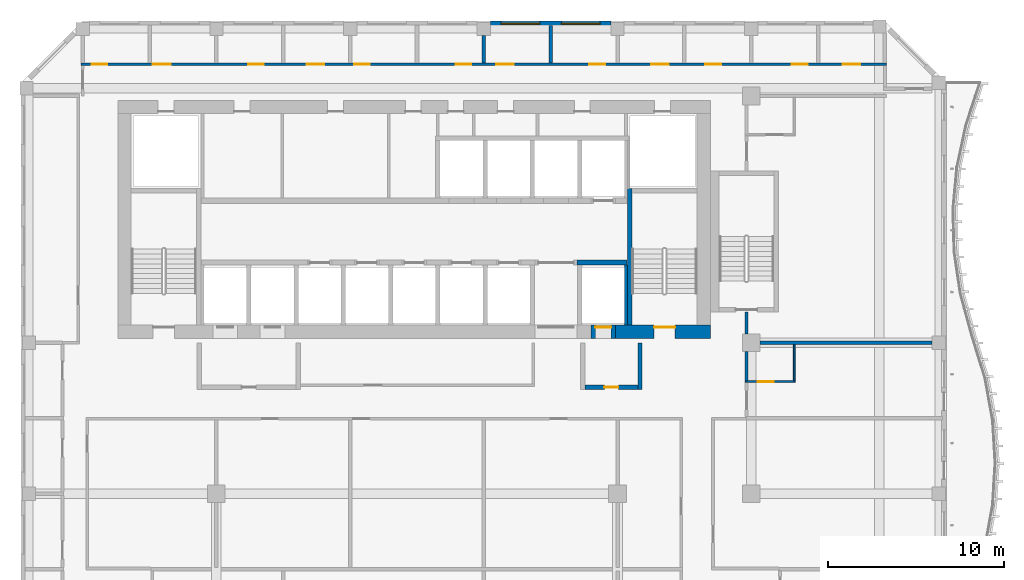
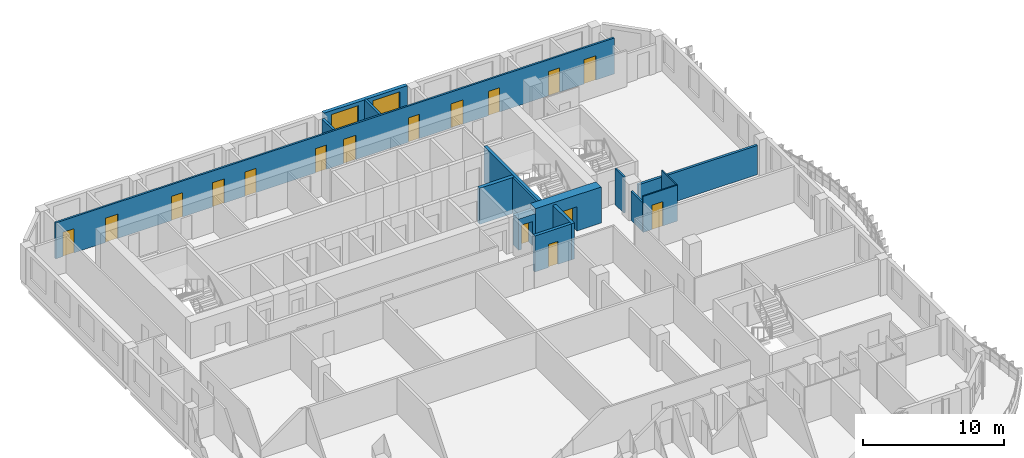
# One storey, part 9 of 23: 16 doors, 16 walls, 2 windows, 18 openings.
"""IFC4 building model written with IfcOpenShell, lengths in metres."""

from ifc_helpers import new_model, si_unit, direction, frame, frame_2d, origin, place, context, subcontext, project, spatial, rectangle, extrude, source, transform, mapped, material, layer, layer_set, type_object, element, fill, save


model = new_model("IFC4")

# Units and contexts
model_context = context("Model", 3, precision=1e-05, world=origin(), true_north=direction((0.0, 1.0)))
body_context = subcontext(model_context, "Body", "Model", "MODEL_VIEW")
ifc_project = project(units=[si_unit("LENGTHUNIT", "METRE"), si_unit("AREAUNIT", "SQUARE_METRE"), si_unit("VOLUMEUNIT", "CUBIC_METRE"), si_unit("PLANEANGLEUNIT", "RADIAN"), si_unit("MASSUNIT", "GRAM", prefix="KILO")], contexts=[model_context])

# Site, building, storey
site_placement = place(None, origin())
site = spatial("IfcSite", under=ifc_project, at=site_placement, CompositionType="ELEMENT")
building_placement = place(site_placement, origin())
building = spatial("IfcBuilding", under=site, at=building_placement, Name="Kilnfold Tower and Market Hall", CompositionType="ELEMENT")
storey_placement = place(building_placement, frame((0.0, 0.0, 203.300048828125)))
storey = spatial("IfcBuildingStorey", under=building, at=storey_placement, Name="L49", CompositionType="ELEMENT", Elevation=203.300048828125)

# Walls
ifc_material_1 = material(Name="Gypsum board on steel studs", Category="steel")
ifc_layer_1 = layer(ifc_material_1, 0.14990234375)
ifc_layer_set_1 = layer_set([ifc_layer_1], Name="Gypsum board on steel studs")
wall_type_1 = type_object("IfcWallType", Name="WALL CORRIDOR 150", PredefinedType="PARTITIONING", material=ifc_layer_set_1)
wall_1_placement = place(storey_placement, frame((19.89990234375, 5.840087890625, 0.0), z_axis=(0.0, 0.0, 1.0), x_axis=(0.0, 1.0, 0.0)))
element("IfcWall", 1, at=wall_1_placement, inside=storey, type_object=wall_type_1, Name="Partition LY30.19", PredefinedType="PARTITIONING", context=body_context, shape_type="SweptSolid", body=[
    extrude(rectangle(XDim=1.659912109375, YDim=0.14990234375, at=frame_2d((0.830078125, 0.0))), origin(), (0.0, 0.0, 1.0), 2.52001953125),
])
wall_2_placement = place(storey_placement, frame((19.89990234375, 8.5, 0.0), z_axis=(0.0, 0.0, 1.0), x_axis=(0.0, 1.0, 0.0)))
element("IfcWall", 2, at=wall_2_placement, inside=storey, type_object=wall_type_1, Name="Partition LY30.21", PredefinedType="PARTITIONING", context=body_context, shape_type="SweptSolid", body=[
    extrude(rectangle(XDim=1.25, YDim=0.14990234375, at=frame_2d((0.625, 0.0))), origin(), (0.0, 0.0, 1.0), 3.119873046875),
])

# Wall, openings, doors
wall_3_placement = place(storey_placement, frame((-17.85009765625, 23.800048828125, 0.0), z_axis=(0.0, 0.0, 1.0), x_axis=(1.0, 0.0, 0.0)))
wall_3 = element("IfcWall", 3, at=wall_3_placement, inside=storey, type_object=wall_type_1, Name="Partition LY30.31", PredefinedType="PARTITIONING", context=body_context, shape_type="SweptSolid", body=[
    extrude(rectangle(XDim=45.7001953125, YDim=0.14990234375, at=frame_2d((22.85009765625, 0.0))), origin(), (0.0, 0.0, 1.0), 3.119873046875),
])
opening_1_placement = place(wall_3_placement, frame((0.60009765625, 0.0, 0.0)))
opening_1 = element("IfcOpeningElement", 4, at=opening_1_placement, cuts=wall_3, Name="Opening D2", PredefinedType="OPENING", context=body_context, shape_type="SweptSolid", body=[
    extrude(rectangle(XDim=0.89990234375, YDim=2.10009765625, at=frame_2d((0.449951171875, 1.050048828125))), frame((0.0, 0.0849609375, 0.0), z_axis=(0.0, -1.0, 0.0), x_axis=(1.0, 0.0, 0.0)), (0.0, 0.0, 1.0), 0.169921875),
])
opening_2_placement = place(wall_3_placement, frame((4.0810546875, 0.0, 0.0)))
opening_2 = element("IfcOpeningElement", 5, at=opening_2_placement, cuts=wall_3, Name="Opening D4", PredefinedType="OPENING", context=body_context, shape_type="SweptSolid", body=[
    extrude(rectangle(XDim=1.0, YDim=2.10009765625, at=frame_2d((0.5, 1.050048828125))), frame((0.0, 0.0849609375, 0.0), z_axis=(0.0, -1.0, 0.0), x_axis=(1.0, 0.0, 0.0)), (0.0, 0.0, 1.0), 0.169921875),
])
opening_3_placement = place(wall_3_placement, frame((9.48095703125, 0.0, 0.0)))
opening_3 = element("IfcOpeningElement", 6, at=opening_3_placement, cuts=wall_3, Name="Opening D2", PredefinedType="OPENING", context=body_context, shape_type="SweptSolid", body=[
    extrude(rectangle(XDim=0.89990234375, YDim=2.10009765625, at=frame_2d((0.449951171875, 1.050048828125))), frame((0.0, 0.0849609375, 0.0), z_axis=(0.0, -1.0, 0.0), x_axis=(1.0, 0.0, 0.0)), (0.0, 0.0, 1.0), 0.169921875),
])
opening_4_placement = place(wall_3_placement, frame((12.802978515625, 0.0, 0.0)))
opening_4 = element("IfcOpeningElement", 7, at=opening_4_placement, cuts=wall_3, Name="Opening D4", PredefinedType="OPENING", context=body_context, shape_type="SweptSolid", body=[
    extrude(rectangle(XDim=1.0, YDim=2.10009765625, at=frame_2d((0.5, 1.050048828125))), frame((0.0, 0.0849609375, 0.0), z_axis=(0.0, -1.0, 0.0), x_axis=(1.0, 0.0, 0.0)), (0.0, 0.0, 1.0), 0.169921875),
])
opening_5_placement = place(wall_3_placement, frame((15.489013671875, 0.0, 0.0)))
opening_5 = element("IfcOpeningElement", 8, at=opening_5_placement, cuts=wall_3, Name="Opening D2", PredefinedType="OPENING", context=body_context, shape_type="SweptSolid", body=[
    extrude(rectangle(XDim=0.89990234375, YDim=2.10009765625, at=frame_2d((0.449951171875, 1.050048828125))), frame((0.0, 0.0849609375, 0.0), z_axis=(0.0, -1.0, 0.0), x_axis=(1.0, 0.0, 0.0)), (0.0, 0.0, 1.0), 0.169921875),
])
opening_6_placement = place(wall_3_placement, frame((21.243896484375, 0.0, 0.0)))
opening_6 = element("IfcOpeningElement", 9, at=opening_6_placement, cuts=wall_3, Name="Opening D2", PredefinedType="OPENING", context=body_context, shape_type="SweptSolid", body=[
    extrude(rectangle(XDim=0.89990234375, YDim=2.10009765625, at=frame_2d((0.449951171875, 1.050048828125))), frame((0.0, 0.0849609375, 0.0), z_axis=(0.0, -1.0, 0.0), x_axis=(1.0, 0.0, 0.0)), (0.0, 0.0, 1.0), 0.169921875),
])
opening_7_placement = place(wall_3_placement, frame((23.5419921875, 0.0, 0.0)))
opening_7 = element("IfcOpeningElement", 10, at=opening_7_placement, cuts=wall_3, Name="Opening D4", PredefinedType="OPENING", context=body_context, shape_type="SweptSolid", body=[
    extrude(rectangle(XDim=1.0, YDim=2.10009765625, at=frame_2d((0.5, 1.050048828125))), frame((0.0, 0.0849609375, 0.0), z_axis=(0.0, -1.0, 0.0), x_axis=(1.0, 0.0, 0.0)), (0.0, 0.0, 1.0), 0.169921875),
])
opening_8_placement = place(wall_3_placement, frame((28.841064453125, 0.0, 0.0)))
opening_8 = element("IfcOpeningElement", 11, at=opening_8_placement, cuts=wall_3, Name="Opening D2", PredefinedType="OPENING", context=body_context, shape_type="SweptSolid", body=[
    extrude(rectangle(XDim=0.89990234375, YDim=2.10009765625, at=frame_2d((0.449951171875, 1.050048828125))), frame((0.0, 0.0849609375, 0.0), z_axis=(0.0, -1.0, 0.0), x_axis=(1.0, 0.0, 0.0)), (0.0, 0.0, 1.0), 0.169921875),
])
opening_9_placement = place(wall_3_placement, frame((32.3310546875, 0.0, 0.0)))
opening_9 = element("IfcOpeningElement", 12, at=opening_9_placement, cuts=wall_3, Name="Opening D4", PredefinedType="OPENING", context=body_context, shape_type="SweptSolid", body=[
    extrude(rectangle(XDim=1.0, YDim=2.10009765625, at=frame_2d((0.5, 1.050048828125))), frame((0.0, 0.0849609375, 0.0), z_axis=(0.0, -1.0, 0.0), x_axis=(1.0, 0.0, 0.0)), (0.0, 0.0, 1.0), 0.169921875),
])
opening_10_placement = place(wall_3_placement, frame((35.419921875, 0.0, 0.0)))
opening_10 = element("IfcOpeningElement", 13, at=opening_10_placement, cuts=wall_3, Name="Opening D2", PredefinedType="OPENING", context=body_context, shape_type="SweptSolid", body=[
    extrude(rectangle(XDim=0.89990234375, YDim=2.10009765625, at=frame_2d((0.449951171875, 1.050048828125))), frame((0.0, 0.0849609375, 0.0), z_axis=(0.0, -1.0, 0.0), x_axis=(1.0, 0.0, 0.0)), (0.0, 0.0, 1.0), 0.169921875),
])
opening_11_placement = place(wall_3_placement, frame((40.31689453125, 0.0, 0.0)))
opening_11 = element("IfcOpeningElement", 14, at=opening_11_placement, cuts=wall_3, Name="Opening D2", PredefinedType="OPENING", context=body_context, shape_type="SweptSolid", body=[
    extrude(rectangle(XDim=0.89990234375, YDim=2.10009765625, at=frame_2d((0.449951171875, 1.050048828125))), frame((0.0, 0.0849609375, 0.0), z_axis=(0.0, -1.0, 0.0), x_axis=(1.0, 0.0, 0.0)), (0.0, 0.0, 1.0), 0.169921875),
])
opening_12_placement = place(wall_3_placement, frame((43.198974609375, 0.0, 0.0)))
opening_12 = element("IfcOpeningElement", 15, at=opening_12_placement, cuts=wall_3, Name="Opening D4", PredefinedType="OPENING", context=body_context, shape_type="SweptSolid", body=[
    extrude(rectangle(XDim=1.0, YDim=2.10009765625, at=frame_2d((0.5, 1.050048828125))), frame((0.0, 0.0849609375, 0.0), z_axis=(0.0, -1.0, 0.0), x_axis=(1.0, 0.0, 0.0)), (0.0, 0.0, 1.0), 0.169921875),
])
ifc_material_2 = material(Name="Timber veneer door leaf in steel frame", Category="steel")
door_type_1 = type_object("IfcDoorType", Name="DOOR ROOM 900 X2100", OperationType="NOTDEFINED", PredefinedType="DOOR", material=ifc_material_2)
door_1_placement = place(opening_1_placement, origin())
door_1 = element("IfcDoor", 16, at=door_1_placement, inside=storey, type_object=door_type_1, Name="Door D2", OperationType="SINGLE_SWING_LEFT", OverallHeight=2.10009765625, OverallWidth=0.89990234375, PredefinedType="DOOR", context=body_context, shape_type="SweptSolid", body=[
    extrude(rectangle(XDim=0.89990234375, YDim=2.10009765625, at=frame_2d((0.449951171875, 1.050048828125))), frame((0.0, 0.02490234375, 0.0), z_axis=(0.0, -1.0, 0.0), x_axis=(1.0, 0.0, 0.0)), (0.0, 0.0, 1.0), 0.050048828125),
])
fill(opening_1, door_1)
door_2_placement = place(opening_3_placement, origin())
door_2 = element("IfcDoor", 17, at=door_2_placement, inside=storey, type_object=door_type_1, Name="Door D2", OperationType="SINGLE_SWING_RIGHT", OverallHeight=2.10009765625, OverallWidth=0.89990234375, PredefinedType="DOOR", context=body_context, shape_type="SweptSolid", body=[
    extrude(rectangle(XDim=0.89990234375, YDim=2.10009765625, at=frame_2d((0.449951171875, 1.050048828125))), frame((0.0, 0.02490234375, 0.0), z_axis=(0.0, -1.0, 0.0), x_axis=(1.0, 0.0, 0.0)), (0.0, 0.0, 1.0), 0.050048828125),
])
fill(opening_3, door_2)
door_3_placement = place(opening_5_placement, origin())
door_3 = element("IfcDoor", 18, at=door_3_placement, inside=storey, type_object=door_type_1, Name="Door D2", OperationType="SINGLE_SWING_RIGHT", OverallHeight=2.10009765625, OverallWidth=0.89990234375, PredefinedType="DOOR", context=body_context, shape_type="SweptSolid", body=[
    extrude(rectangle(XDim=0.89990234375, YDim=2.10009765625, at=frame_2d((0.449951171875, 1.050048828125))), frame((0.0, 0.02490234375, 0.0), z_axis=(0.0, -1.0, 0.0), x_axis=(1.0, 0.0, 0.0)), (0.0, 0.0, 1.0), 0.050048828125),
])
fill(opening_5, door_3)
door_4_placement = place(opening_6_placement, origin())
door_4 = element("IfcDoor", 19, at=door_4_placement, inside=storey, type_object=door_type_1, Name="Door D2", OperationType="SINGLE_SWING_RIGHT", OverallHeight=2.10009765625, OverallWidth=0.89990234375, PredefinedType="DOOR", context=body_context, shape_type="SweptSolid", body=[
    extrude(rectangle(XDim=0.89990234375, YDim=2.10009765625, at=frame_2d((0.449951171875, 1.050048828125))), frame((0.0, 0.02490234375, 0.0), z_axis=(0.0, -1.0, 0.0), x_axis=(1.0, 0.0, 0.0)), (0.0, 0.0, 1.0), 0.050048828125),
])
fill(opening_6, door_4)
door_5_placement = place(opening_8_placement, origin())
door_5 = element("IfcDoor", 20, at=door_5_placement, inside=storey, type_object=door_type_1, Name="Door D2", OperationType="SINGLE_SWING_RIGHT", OverallHeight=2.10009765625, OverallWidth=0.89990234375, PredefinedType="DOOR", context=body_context, shape_type="SweptSolid", body=[
    extrude(rectangle(XDim=0.89990234375, YDim=2.10009765625, at=frame_2d((0.449951171875, 1.050048828125))), frame((0.0, 0.02490234375, 0.0), z_axis=(0.0, -1.0, 0.0), x_axis=(1.0, 0.0, 0.0)), (0.0, 0.0, 1.0), 0.050048828125),
])
fill(opening_8, door_5)
door_6_placement = place(opening_10_placement, origin())
door_6 = element("IfcDoor", 21, at=door_6_placement, inside=storey, type_object=door_type_1, Name="Door D2", OperationType="SINGLE_SWING_RIGHT", OverallHeight=2.10009765625, OverallWidth=0.89990234375, PredefinedType="DOOR", context=body_context, shape_type="SweptSolid", body=[
    extrude(rectangle(XDim=0.89990234375, YDim=2.10009765625, at=frame_2d((0.449951171875, 1.050048828125))), frame((0.0, 0.02490234375, 0.0), z_axis=(0.0, -1.0, 0.0), x_axis=(1.0, 0.0, 0.0)), (0.0, 0.0, 1.0), 0.050048828125),
])
fill(opening_10, door_6)
door_7_placement = place(opening_11_placement, origin())
door_7 = element("IfcDoor", 22, at=door_7_placement, inside=storey, type_object=door_type_1, Name="Door D2", OperationType="SINGLE_SWING_LEFT", OverallHeight=2.10009765625, OverallWidth=0.89990234375, PredefinedType="DOOR", context=body_context, shape_type="SweptSolid", body=[
    extrude(rectangle(XDim=0.89990234375, YDim=2.10009765625, at=frame_2d((0.449951171875, 1.050048828125))), frame((0.0, 0.02490234375, 0.0), z_axis=(0.0, -1.0, 0.0), x_axis=(1.0, 0.0, 0.0)), (0.0, 0.0, 1.0), 0.050048828125),
])
fill(opening_11, door_7)
ifc_material_3 = material(Name="Timber veneer door leaf in steel frame", Category="steel")
door_type_2 = type_object("IfcDoorType", Name="DOOR SERVICE 1000 X2100", OperationType="NOTDEFINED", PredefinedType="DOOR", material=ifc_material_3)
door_8_placement = place(opening_2_placement, origin())
door_8 = element("IfcDoor", 23, at=door_8_placement, inside=storey, type_object=door_type_2, Name="Door D4", OperationType="SINGLE_SWING_LEFT", OverallHeight=2.10009765625, OverallWidth=1.0, PredefinedType="DOOR", context=body_context, shape_type="SweptSolid", body=[
    extrude(rectangle(XDim=1.0, YDim=2.10009765625, at=frame_2d((0.5, 1.050048828125))), frame((0.0, 0.02490234375, 0.0), z_axis=(0.0, -1.0, 0.0), x_axis=(1.0, 0.0, 0.0)), (0.0, 0.0, 1.0), 0.050048828125),
])
fill(opening_2, door_8)
door_9_placement = place(opening_4_placement, origin())
door_9 = element("IfcDoor", 24, at=door_9_placement, inside=storey, type_object=door_type_2, Name="Door D4", OperationType="SINGLE_SWING_RIGHT", OverallHeight=2.10009765625, OverallWidth=1.0, PredefinedType="DOOR", context=body_context, shape_type="SweptSolid", body=[
    extrude(rectangle(XDim=1.0, YDim=2.10009765625, at=frame_2d((0.5, 1.050048828125))), frame((0.0, 0.02490234375, 0.0), z_axis=(0.0, -1.0, 0.0), x_axis=(1.0, 0.0, 0.0)), (0.0, 0.0, 1.0), 0.050048828125),
])
fill(opening_4, door_9)
door_10_placement = place(opening_7_placement, origin())
door_10 = element("IfcDoor", 25, at=door_10_placement, inside=storey, type_object=door_type_2, Name="Door D4", OperationType="SINGLE_SWING_RIGHT", OverallHeight=2.10009765625, OverallWidth=1.0, PredefinedType="DOOR", context=body_context, shape_type="SweptSolid", body=[
    extrude(rectangle(XDim=1.0, YDim=2.10009765625, at=frame_2d((0.5, 1.050048828125))), frame((0.0, 0.02490234375, 0.0), z_axis=(0.0, -1.0, 0.0), x_axis=(1.0, 0.0, 0.0)), (0.0, 0.0, 1.0), 0.050048828125),
])
fill(opening_7, door_10)
door_11_placement = place(opening_9_placement, origin())
door_11 = element("IfcDoor", 26, at=door_11_placement, inside=storey, type_object=door_type_2, Name="Door D4", OperationType="SINGLE_SWING_RIGHT", OverallHeight=2.10009765625, OverallWidth=1.0, PredefinedType="DOOR", context=body_context, shape_type="SweptSolid", body=[
    extrude(rectangle(XDim=1.0, YDim=2.10009765625, at=frame_2d((0.5, 1.050048828125))), frame((0.0, 0.02490234375, 0.0), z_axis=(0.0, -1.0, 0.0), x_axis=(1.0, 0.0, 0.0)), (0.0, 0.0, 1.0), 0.050048828125),
])
fill(opening_9, door_11)
door_12_placement = place(opening_12_placement, origin())
door_12 = element("IfcDoor", 27, at=door_12_placement, inside=storey, type_object=door_type_2, Name="Door D4", OperationType="SINGLE_SWING_RIGHT", OverallHeight=2.10009765625, OverallWidth=1.0, PredefinedType="DOOR", context=body_context, shape_type="SweptSolid", body=[
    extrude(rectangle(XDim=1.0, YDim=2.10009765625, at=frame_2d((0.5, 1.050048828125))), frame((0.0, 0.02490234375, 0.0), z_axis=(0.0, -1.0, 0.0), x_axis=(1.0, 0.0, 0.0)), (0.0, 0.0, 1.0), 0.050048828125),
])
fill(opening_12, door_12)

# Wall, opening, door
ifc_material_4 = material(Name="Gypsum board on steel studs", Category="steel")
ifc_layer_2 = layer(ifc_material_4, 0.10009765625)
ifc_layer_set_2 = layer_set([ifc_layer_2], Name="Gypsum board on steel studs")
wall_type_2 = type_object("IfcWallType", Name="WALL PARTITION 100", PredefinedType="PARTITIONING", material=ifc_layer_set_2)
wall_4_placement = place(storey_placement, frame((22.652099609375, 5.800048828125, 0.0), z_axis=(0.0, 0.0, 1.0), x_axis=(-1.0, 0.0, 0.0)))
wall_4 = element("IfcWall", 28, at=wall_4_placement, inside=storey, type_object=wall_type_2, Name="Partition LY30.89", PredefinedType="PARTITIONING", context=body_context, shape_type="SweptSolid", body=[
    extrude(rectangle(XDim=2.8251953125, YDim=0.10009765625, at=frame_2d((1.41259765625, 0.0))), origin(), (0.0, 0.0, 1.0), 3.119873046875),
])
opening_13_placement = place(wall_4_placement, frame((1.217041015625, 0.0, 0.0)))
opening_13 = element("IfcOpeningElement", 29, at=opening_13_placement, cuts=wall_4, Name="Opening D3", PredefinedType="OPENING", context=body_context, shape_type="SweptSolid", body=[
    extrude(rectangle(XDim=0.89990234375, YDim=2.10009765625, at=frame_2d((0.449951171875, 1.050048828125))), frame((0.0, 0.06005859375, 0.0), z_axis=(0.0, -1.0, 0.0), x_axis=(1.0, 0.0, 0.0)), (0.0, 0.0, 1.0), 0.1201171875),
])
ifc_material_5 = material(Name="Timber veneer door leaf in steel frame", Category="steel")
door_type_3 = type_object("IfcDoorType", Name="DOOR WC 900 X2100", OperationType="NOTDEFINED", PredefinedType="DOOR", material=ifc_material_5)
door_13_placement = place(opening_13_placement, origin())
door_13 = element("IfcDoor", 30, at=door_13_placement, inside=storey, type_object=door_type_3, Name="Door D3", OperationType="SINGLE_SWING_LEFT", OverallHeight=2.10009765625, OverallWidth=0.89990234375, PredefinedType="DOOR", context=body_context, shape_type="SweptSolid", body=[
    extrude(rectangle(XDim=0.89990234375, YDim=2.10009765625, at=frame_2d((0.449951171875, 1.050048828125))), frame((0.0, 0.02490234375, 0.0), z_axis=(0.0, -1.0, 0.0), x_axis=(1.0, 0.0, 0.0)), (0.0, 0.0, 1.0), 0.050048828125),
])
fill(opening_13, door_13)

# Walls
wall_5_placement = place(storey_placement, frame((22.60205078125, 5.85009765625, 0.0), z_axis=(0.0, 0.0, 1.0), x_axis=(0.0, 1.0, 0.0)))
element("IfcWall", 31, at=wall_5_placement, inside=storey, type_object=wall_type_2, Name="Partition LY30.90", PredefinedType="PARTITIONING", context=body_context, shape_type="SweptSolid", body=[
    extrude(rectangle(XDim=2.0498046875, YDim=0.10009765625, at=frame_2d((1.02490234375, 0.0))), origin(), (0.0, 0.0, 1.0), 3.119873046875),
])
ifc_material_6 = material(Name="Gypsum board on steel studs", Category="steel")
ifc_layer_3 = layer(ifc_material_6, 0.199951171875)
ifc_layer_set_3 = layer_set([ifc_layer_3], Name="Gypsum board on steel studs")
wall_type_3 = type_object("IfcWallType", Name="WALL PARTY 200", PredefinedType="PARTITIONING", material=ifc_layer_set_3)
wall_6_placement = place(storey_placement, frame((20.6669921875, 8.0, 0.0), z_axis=(0.0, 0.0, 1.0), x_axis=(1.0, 0.0, 0.0)))
element("IfcWall", 32, at=wall_6_placement, inside=storey, type_object=wall_type_3, Name="Partition LY30.92", PredefinedType="PARTITIONING", context=body_context, shape_type="SweptSolid", body=[
    extrude(rectangle(XDim=9.758056640625, YDim=0.199951171875, at=frame_2d((4.87890625, 0.0))), origin(), (0.0, 0.0, 1.0), 2.52001953125),
])
wall_7_placement = place(storey_placement, frame((5.0, 23.876953125, 0.0), z_axis=(0.0, 0.0, 1.0), x_axis=(0.0, 1.0, 0.0)))
element("IfcWall", 33, at=wall_7_placement, inside=storey, type_object=wall_type_3, Name="Partition LY30.104", PredefinedType="PARTITIONING", context=body_context, shape_type="SweptSolid", body=[
    extrude(rectangle(XDim=1.548095703125, YDim=0.199951171875, at=frame_2d((0.77392578125, 0.0))), origin(), (0.0, 0.0, 1.0), 3.119873046875),
])
wall_8_placement = place(storey_placement, frame((8.791015625, 23.876953125, 0.0), z_axis=(0.0, 0.0, 1.0), x_axis=(0.0, 1.0, 0.0)))
element("IfcWall", 34, at=wall_8_placement, inside=storey, type_object=wall_type_3, Name="Partition LY30.105", PredefinedType="PARTITIONING", context=body_context, shape_type="SweptSolid", body=[
    extrude(rectangle(XDim=2.123046875, YDim=0.199951171875, at=frame_2d((1.0615234375, 0.0))), origin(), (0.0, 0.0, 1.0), 3.119873046875),
])
ifc_material_7 = material(Name="Concrete C60", Category="concrete")
ifc_layer_4 = layer(ifc_material_7, 0.25)
ifc_layer_set_4 = layer_set([ifc_layer_4], Name="Concrete C60")
wall_type_4 = type_object("IfcWallType", Name="CORE WALL 250 C60", PredefinedType="SHEAR", material=ifc_layer_set_4)
shared_shape_1 = source(origin(), body_context, "Body", "SweptSolid", [
    extrude(rectangle(XDim=7.75, YDim=0.25, at=frame_2d((3.875, 0.0))), origin(), (0.0, 0.0, 1.0), 3.119873046875),
])
wall_9_placement = place(storey_placement, frame((13.27490234375, 9.0, 0.0), z_axis=(0.0, 0.0, 1.0), x_axis=(0.0, 1.0, 0.0)))
element("IfcWall", 35, at=wall_9_placement, inside=storey, type_object=wall_type_4, Name="Stair enclosure ST2", PredefinedType="SHEAR", context=body_context, shape_type="MappedRepresentation", body=[
    mapped(shared_shape_1, transform((0.0, 0.0, 0.0))),
])
ifc_material_8 = material(Name="Concrete C60", Category="concrete")
ifc_layer_5 = layer(ifc_material_8, 0.300048828125)
ifc_layer_set_5 = layer_set([ifc_layer_5], Name="Concrete C60")
wall_type_5 = type_object("IfcWallType", Name="CORE WALL 300 C60", PredefinedType="SHEAR", material=ifc_layer_set_5)
shared_shape_2 = source(origin(), body_context, "Body", "SweptSolid", [
    extrude(rectangle(XDim=2.820068359375, YDim=0.300048828125, at=frame_2d((1.41015625, 0.0))), origin(), (0.0, 0.0, 1.0), 3.119873046875),
])
wall_10_placement = place(storey_placement, frame((10.2900390625, 12.550048828125, 0.0), z_axis=(0.0, 0.0, 1.0), x_axis=(1.0, 0.0, 0.0)))
element("IfcWall", 36, at=wall_10_placement, inside=storey, type_object=wall_type_5, Name="Core spine wall", PredefinedType="SHEAR", context=body_context, shape_type="MappedRepresentation", body=[
    mapped(shared_shape_2, transform((0.0, 0.0, 0.0))),
])

# Wall, opening, door
ifc_material_9 = material(Name="Concrete C60", Category="concrete")
ifc_layer_6 = layer(ifc_material_9, 0.75)
ifc_layer_set_6 = layer_set([ifc_layer_6], Name="Concrete C60")
wall_type_6 = type_object("IfcWallType", Name="CORE WALL 750 C60", PredefinedType="SHEAR", material=ifc_layer_set_6)
shared_shape_3 = source(origin(), body_context, "Body", "SweptSolid", [
    extrude(rectangle(XDim=5.380126953125, YDim=0.75, at=frame_2d((2.68994140625, 0.0))), origin(), (0.0, 0.0, 1.0), 3.119873046875),
])
wall_11_placement = place(storey_placement, frame((12.469970703125, 8.625, 0.0), z_axis=(0.0, 0.0, 1.0), x_axis=(1.0, 0.0, 0.0)))
wall_11 = element("IfcWall", 37, at=wall_11_placement, inside=storey, type_object=wall_type_6, Name="Core outer wall south", PredefinedType="SHEAR", context=body_context, shape_type="MappedRepresentation", body=[
    mapped(shared_shape_3, transform((0.0, 0.0, 0.0))),
])
opening_14_placement = place(wall_11_placement, frame((2.179931640625, 0.0, 0.0)))
opening_14 = element("IfcOpeningElement", 38, at=opening_14_placement, cuts=wall_11, Name="Opening SD1", PredefinedType="OPENING", context=body_context, shape_type="SweptSolid", body=[
    extrude(rectangle(XDim=1.199951171875, YDim=2.10009765625, at=frame_2d((0.60009765625, 1.050048828125))), frame((0.0, 0.385009765625, 0.0), z_axis=(0.0, -1.0, 0.0), x_axis=(1.0, 0.0, 0.0)), (0.0, 0.0, 1.0), 0.77001953125),
])
ifc_material_10 = material(Name="Steel door set with fire-resisting leaf", Category="steel")
door_type_4 = type_object("IfcDoorType", Name="STAIR FLOOR DOOR 1200X2100", OperationType="NOTDEFINED", PredefinedType="DOOR", material=ifc_material_10)
door_14_placement = place(opening_14_placement, origin())
door_14 = element("IfcDoor", 39, at=door_14_placement, inside=storey, type_object=door_type_4, Name="Exit stair ST2 door", OperationType="DOUBLE_DOOR_SINGLE_SWING", OverallHeight=2.10009765625, OverallWidth=1.199951171875, PredefinedType="DOOR", context=body_context, shape_type="SweptSolid", body=[
    extrude(rectangle(XDim=1.199951171875, YDim=2.10009765625, at=frame_2d((0.60009765625, 1.050048828125))), frame((0.0, 0.27978515625, 0.0), z_axis=(0.0, -1.0, 0.0), x_axis=(1.0, 0.0, 0.0)), (0.0, 0.0, 1.0), 0.050048828125),
])
fill(opening_14, door_14)

# Wall, openings, windows
ifc_material_11 = material(Name="Precast concrete C50/60", Category="concrete")
ifc_layer_7 = layer(ifc_material_11, 0.300048828125)
ifc_layer_set_7 = layer_set([ifc_layer_7], Name="Precast concrete C50/60")
wall_type_7 = type_object("IfcWallType", Name="PRECAST WALL 300", PredefinedType="SOLIDWALL", material=ifc_layer_set_7)
shared_shape_4 = source(origin(), body_context, "Body", "SweptSolid", [
    extrude(rectangle(XDim=6.833251953125, YDim=0.300048828125, at=frame_2d((3.41650390625, 0.0))), origin(), (0.0, 0.0, 1.0), 3.119873046875),
])
wall_12_placement = place(storey_placement, frame((12.208251953125, 26.10009765625, 0.0), z_axis=(0.0, 0.0, 1.0), x_axis=(-1.0, 0.0, 0.0)))
wall_12 = element("IfcWall", 40, at=wall_12_placement, inside=storey, type_object=wall_type_7, Name="External wall L49 N", PredefinedType="SOLIDWALL", context=body_context, shape_type="MappedRepresentation", body=[
    mapped(shared_shape_4, transform((0.0, 0.0, 0.0))),
])
opening_15_placement = place(wall_12_placement, frame((0.6083984375, 0.0, 0.85009765625)))
opening_15 = element("IfcOpeningElement", 41, at=opening_15_placement, cuts=wall_12, Name="Opening W2", PredefinedType="OPENING", context=body_context, shape_type="SweptSolid", body=[
    extrude(rectangle(XDim=2.199951171875, YDim=1.949951171875, at=frame_2d((1.10009765625, 0.97509765625))), frame((0.0, 0.16015625, 0.0), z_axis=(0.0, -1.0, 0.0), x_axis=(1.0, 0.0, 0.0)), (0.0, 0.0, 1.0), 0.320068359375),
])
opening_16_placement = place(wall_12_placement, frame((4.02490234375, 0.0, 0.85009765625)))
opening_16 = element("IfcOpeningElement", 42, at=opening_16_placement, cuts=wall_12, Name="Opening W2", PredefinedType="OPENING", context=body_context, shape_type="SweptSolid", body=[
    extrude(rectangle(XDim=2.199951171875, YDim=1.949951171875, at=frame_2d((1.10009765625, 0.97509765625))), frame((0.0, 0.16015625, 0.0), z_axis=(0.0, -1.0, 0.0), x_axis=(1.0, 0.0, 0.0)), (0.0, 0.0, 1.0), 0.320068359375),
])
ifc_material_12 = material(Name="Aluminium frame and double glazing", Category="aluminium")
window_type = type_object("IfcWindowType", Name="WINDOW W2 2200X1950", PartitioningType="SINGLE_PANEL", PredefinedType="WINDOW", material=ifc_material_12)
window_1_placement = place(opening_15_placement, origin())
window_1 = element("IfcWindow", 43, at=window_1_placement, inside=storey, type_object=window_type, Name="Window W2 L49 N-1", OverallHeight=1.949951171875, OverallWidth=2.199951171875, PartitioningType="SINGLE_PANEL", PredefinedType="WINDOW", context=body_context, shape_type="SweptSolid", body=[
    extrude(rectangle(XDim=2.199951171875, YDim=1.949951171875, at=frame_2d((1.10009765625, 0.97509765625))), frame((0.0, 0.030029296875, 0.0), z_axis=(0.0, -1.0, 0.0), x_axis=(1.0, 0.0, 0.0)), (0.0, 0.0, 1.0), 0.06005859375),
])
fill(opening_15, window_1)
window_2_placement = place(opening_16_placement, origin())
window_2 = element("IfcWindow", 44, at=window_2_placement, inside=storey, type_object=window_type, Name="Window W2 L49 N-2", OverallHeight=1.949951171875, OverallWidth=2.199951171875, PartitioningType="SINGLE_PANEL", PredefinedType="WINDOW", context=body_context, shape_type="SweptSolid", body=[
    extrude(rectangle(XDim=2.199951171875, YDim=1.949951171875, at=frame_2d((1.10009765625, 0.97509765625))), frame((0.0, 0.030029296875, 0.0), z_axis=(0.0, -1.0, 0.0), x_axis=(1.0, 0.0, 0.0)), (0.0, 0.0, 1.0), 0.06005859375),
])
fill(opening_16, window_2)

# Wall
ifc_material_13 = material(Name="Gypsum shaft wall system")
ifc_layer_8 = layer(ifc_material_13, 0.25)
ifc_layer_set_8 = layer_set([ifc_layer_8], Name="Gypsum shaft wall system")
wall_type_8 = type_object("IfcWallType", Name="LOBBY WALL 250", PredefinedType="PARTITIONING", material=ifc_layer_set_8)
shared_shape_5 = source(origin(), body_context, "Body", "SweptSolid", [
    extrude(rectangle(XDim=2.64990234375, YDim=0.25, at=frame_2d((1.324951171875, 0.0))), origin(), (0.0, 0.0, 1.0), 3.119873046875),
])
wall_13_placement = place(storey_placement, frame((13.85498046875, 5.35009765625, 0.0), z_axis=(0.0, 0.0, 1.0), x_axis=(0.0, 1.0, 0.0)))
element("IfcWall", 45, at=wall_13_placement, inside=storey, type_object=wall_type_8, Name="Firefighting lobby wall", PredefinedType="PARTITIONING", context=body_context, shape_type="MappedRepresentation", body=[
    mapped(shared_shape_5, transform((0.0, 0.0, 0.0))),
])

# Wall, opening, door
shared_shape_6 = source(origin(), body_context, "Body", "SweptSolid", [
    extrude(rectangle(XDim=3.0, YDim=0.25, at=frame_2d((1.5, 0.0))), origin(), (0.0, 0.0, 1.0), 3.119873046875),
])
wall_14_placement = place(storey_placement, frame((10.72998046875, 5.47509765625, 0.0), z_axis=(0.0, 0.0, 1.0), x_axis=(1.0, 0.0, 0.0)))
wall_14 = element("IfcWall", 46, at=wall_14_placement, inside=storey, type_object=wall_type_8, Name="Firefighting lobby wall", PredefinedType="PARTITIONING", context=body_context, shape_type="MappedRepresentation", body=[
    mapped(shared_shape_6, transform((0.0, 0.0, 0.0))),
])
opening_17_placement = place(wall_14_placement, frame((1.10009765625, 0.0, 0.0)))
opening_17 = element("IfcOpeningElement", 47, at=opening_17_placement, cuts=wall_14, Name="Opening VD1", PredefinedType="OPENING", context=body_context, shape_type="SweptSolid", body=[
    extrude(rectangle(XDim=0.800048828125, YDim=2.0, at=frame_2d((0.39990234375, 1.0))), frame((0.0, 0.135009765625, 0.0), z_axis=(0.0, -1.0, 0.0), x_axis=(1.0, 0.0, 0.0)), (0.0, 0.0, 1.0), 0.27001953125),
])
ifc_material_14 = material(Name="Steel door set with fire-resisting leaf", Category="steel")
door_type_5 = type_object("IfcDoorType", Name="FIREFIGHTING LOBBY DOOR 800X2000", OperationType="NOTDEFINED", PredefinedType="DOOR", material=ifc_material_14)
door_15_placement = place(opening_17_placement, origin())
door_15 = element("IfcDoor", 48, at=door_15_placement, inside=storey, type_object=door_type_5, Name="Firefighting lobby door", OperationType="SINGLE_SWING_RIGHT", OverallHeight=2.0, OverallWidth=0.800048828125, PredefinedType="DOOR", context=body_context, shape_type="SweptSolid", body=[
    extrude(rectangle(XDim=0.800048828125, YDim=2.0, at=frame_2d((0.39990234375, 1.0))), frame((0.0, 0.02490234375, 0.0), z_axis=(0.0, -1.0, 0.0), x_axis=(1.0, 0.0, 0.0)), (0.0, 0.0, 1.0), 0.050048828125),
])
fill(opening_17, door_15)

# Wall
ifc_material_15 = material(Name="Gypsum shaft wall system")
ifc_layer_9 = layer(ifc_material_15, 0.1650390625)
ifc_layer_set_9 = layer_set([ifc_layer_9], Name="Gypsum shaft wall system")
wall_type_9 = type_object("IfcWallType", Name="SHAFT WALL 165", PredefinedType="PARTITIONING", material=ifc_layer_set_9)
shared_shape_7 = source(origin(), body_context, "Body", "SweptSolid", [
    extrude(rectangle(XDim=3.39990234375, YDim=0.1650390625, at=frame_2d((1.699951171875, 0.0))), origin(), (0.0, 0.0, 1.0), 3.119873046875),
])
wall_15_placement = place(storey_placement, frame((13.0673828125, 9.0, 0.0), z_axis=(0.0, 0.0, 1.0), x_axis=(0.0, 1.0, 0.0)))
element("IfcWall", 49, at=wall_15_placement, inside=storey, type_object=wall_type_9, Name="Lift shaft wall", PredefinedType="PARTITIONING", context=body_context, shape_type="MappedRepresentation", body=[
    mapped(shared_shape_7, transform((0.0, 0.0, 0.0))),
])

# Wall, opening, door
ifc_material_16 = material(Name="Gypsum shaft wall system")
ifc_layer_10 = layer(ifc_material_16, 0.75)
ifc_layer_set_10 = layer_set([ifc_layer_10], Name="Gypsum shaft wall system")
wall_type_10 = type_object("IfcWallType", Name="LOBBY WALL 750", PredefinedType="PARTITIONING", material=ifc_layer_set_10)
shared_shape_8 = source(origin(), body_context, "Body", "SweptSolid", [
    extrude(rectangle(XDim=1.39990234375, YDim=0.75, at=frame_2d((0.699951171875, 0.0))), origin(), (0.0, 0.0, 1.0), 2.699951171875),
])
wall_16_placement = place(storey_placement, frame((11.070068359375, 8.625, 0.0), z_axis=(0.0, 0.0, 1.0), x_axis=(1.0, 0.0, 0.0)))
wall_16 = element("IfcWall", 50, at=wall_16_placement, inside=storey, type_object=wall_type_10, Name="Core wall infill", PredefinedType="PARTITIONING", context=body_context, shape_type="MappedRepresentation", body=[
    mapped(shared_shape_8, transform((0.0, 0.0, 0.0))),
])
opening_18_placement = place(wall_16_placement, frame((0.25, 0.0, 0.0)))
opening_18 = element("IfcOpeningElement", 51, at=opening_18_placement, cuts=wall_16, Name="Opening LD1", PredefinedType="OPENING", context=body_context, shape_type="SweptSolid", body=[
    extrude(rectangle(XDim=0.89990234375, YDim=2.10009765625, at=frame_2d((0.449951171875, 1.050048828125))), frame((0.0, 0.385009765625, 0.0), z_axis=(0.0, -1.0, 0.0), x_axis=(1.0, 0.0, 0.0)), (0.0, 0.0, 1.0), 0.77001953125),
])
ifc_material_17 = material(Name="Steel door set with fire-resisting leaf", Category="steel")
door_type_6 = type_object("IfcDoorType", Name="FIREFIGHTING LANDING DOOR 900X2100", OperationType="NOTDEFINED", PredefinedType="DOOR", material=ifc_material_17)
door_16_placement = place(opening_18_placement, origin())
door_16 = element("IfcDoor", 52, at=door_16_placement, inside=storey, type_object=door_type_6, Name="Landing door FF3", OperationType="SLIDING_TO_LEFT", OverallHeight=2.10009765625, OverallWidth=0.89990234375, PredefinedType="DOOR", context=body_context, shape_type="SweptSolid", body=[
    extrude(rectangle(XDim=0.89990234375, YDim=2.10009765625, at=frame_2d((0.449951171875, 1.050048828125))), frame((0.0, 0.27978515625, 0.0), z_axis=(0.0, -1.0, 0.0), x_axis=(1.0, 0.0, 0.0)), (0.0, 0.0, 1.0), 0.050048828125),
])
fill(opening_18, door_16)

save(model, "model.ifc")
